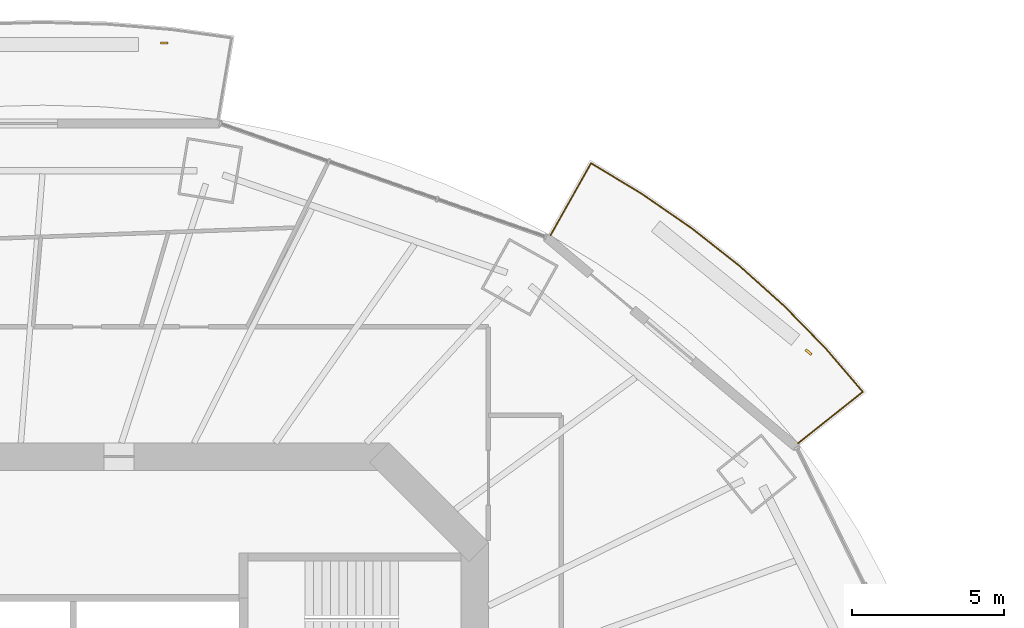
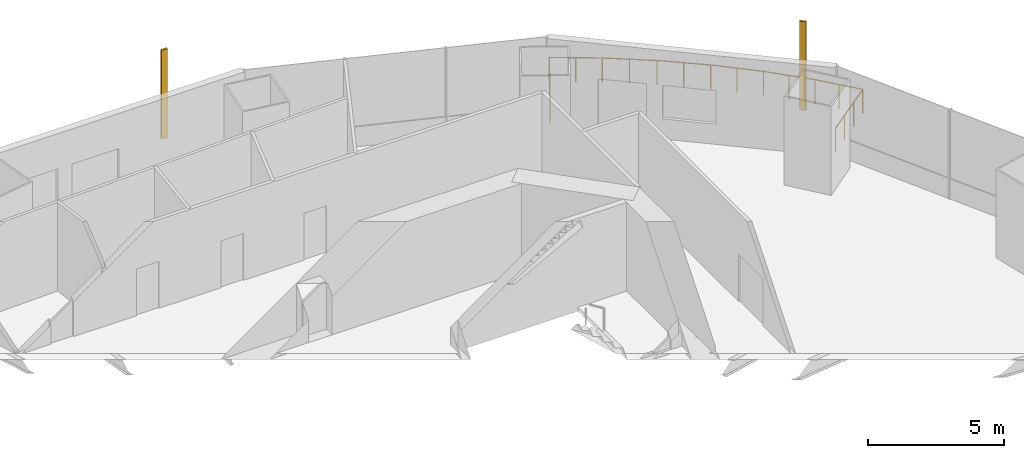
# One storey, part 18 of 19: 2 shading devices, 1 railing.
"""IFC4 building model written with IfcOpenShell, lengths in metres."""

import ifcopenshell
import ifcopenshell.guid

model = None  # the IFC model being written
_history = None  # IfcOwnerHistory: only IFC2X3 demands one
_inside = {}  # id of a spatial element -> (the spatial element, [elements in it])
_under = {}  # id of a project, library or spatial element -> (it, [spatial elements below it])
_declared = {}  # id of a project -> (the project, [libraries it declares])
_typed = {}  # id of a type object -> (the type object, [elements of that type])
_made_of = {}  # id of a material, layer set ... -> (it, [elements and type objects made of it])


def new_model(schema):
    """Start an empty IFC model of exactly this schema.

    Asked for "IFC4X3", IfcOpenShell would pick the latest addendum, in which some entities
    have other attributes; the version numbers below select the first issue.
    IFC2X3 requires an IfcOwnerHistory on every rooted entity: one is made here for all.
    """
    global model, _history
    if schema == "IFC4X3":
        model = ifcopenshell.file(schema_version=(4, 3, 0, 0))
    else:
        model = ifcopenshell.file(schema=schema)
    _inside.clear()
    _under.clear()
    _declared.clear()
    _typed.clear()
    _made_of.clear()
    _history = None
    if model.schema == "IFC2X3":
        org = make("IfcOrganization", Name="unknown")
        user = make(
            "IfcPersonAndOrganization",
            ThePerson=make("IfcPerson", FamilyName="unknown"),
            TheOrganization=org,
        )
        app = make(
            "IfcApplication",
            ApplicationDeveloper=org,
            Version="unknown",
            ApplicationFullName="unknown",
            ApplicationIdentifier="unknown",
        )
        _history = make(
            "IfcOwnerHistory",
            OwningUser=user,
            OwningApplication=app,
            ChangeAction="ADDED",
            CreationDate=0,
        )
    return model


def make(cls, **values):
    """One entity of the class cls with the attributes given. An attribute that is None is left unset."""
    return model.create_entity(
        cls, **{name: value for name, value in values.items() if value is not None}
    )


def rooted(cls, **values):
    """An entity with a GlobalId (a new one), such as an element, a storey or a relation."""
    return make(cls, GlobalId=ifcopenshell.guid.new(), OwnerHistory=_history, **values)


def si_unit(unit_type, name, prefix=None):
    """IfcSIUnit, for example si_unit("LENGTHUNIT", "METRE", prefix="MILLI")."""
    return make("IfcSIUnit", UnitType=unit_type, Prefix=prefix, Name=name)


def assignment(units):
    """IfcUnitAssignment: the units of a project."""
    return None if units is None else make("IfcUnitAssignment", Units=units)


def point(xyz):
    """IfcCartesianPoint."""
    return None if xyz is None else make("IfcCartesianPoint", Coordinates=xyz)


def direction(xyz):
    """IfcDirection."""
    return None if xyz is None else make("IfcDirection", DirectionRatios=xyz)


def frame(location, z_axis=None, x_axis=None):
    """IfcAxis2Placement3D, a coordinate frame: its origin and axes. An axis left out is left unset."""
    return make(
        "IfcAxis2Placement3D",
        Location=point(location),
        Axis=direction(z_axis),
        RefDirection=direction(x_axis),
    )


def frame_2d(location, x_axis=None):
    """IfcAxis2Placement2D, a coordinate frame in the plane: its origin and x axis."""
    return make(
        "IfcAxis2Placement2D", Location=point(location), RefDirection=direction(x_axis)
    )


def origin():
    """The frame at (0, 0, 0) with its axes left unset."""
    return frame((0.0, 0.0, 0.0))


def origin_2d():
    """The frame at (0, 0) in the plane with its x axis left unset."""
    return frame_2d((0.0, 0.0))


def place(relative_to, where):
    """IfcLocalPlacement: puts the frame where relative to a parent placement (None: the world)."""
    return make(
        "IfcLocalPlacement", PlacementRelTo=relative_to, RelativePlacement=where
    )


def context(
    kind, dimensions, precision=None, world=None, true_north=None, identifier=None
):
    """IfcGeometricRepresentationContext, for example the 3D "Model" context."""
    return make(
        "IfcGeometricRepresentationContext",
        ContextIdentifier=identifier,
        ContextType=kind,
        CoordinateSpaceDimension=dimensions,
        Precision=precision,
        WorldCoordinateSystem=world,
        TrueNorth=true_north,
    )


def subcontext(parent, identifier, kind, view, scale=None):
    """IfcGeometricRepresentationSubContext, for example "Body" below "Model"."""
    return make(
        "IfcGeometricRepresentationSubContext",
        ContextIdentifier=identifier,
        ContextType=kind,
        ParentContext=parent,
        TargetScale=scale,
        TargetView=view,
    )


def project(units=None, contexts=None):
    """IfcProject with its units and contexts."""
    return rooted(
        "IfcProject",
        Name="project",
        RepresentationContexts=contexts,
        UnitsInContext=assignment(units),
    )


def spatial(cls, under=None, at=None, **own):
    """A site, building, storey or space (cls), placed at a placement, below another one or the project."""
    s = rooted(cls, ObjectPlacement=at, **own)
    if under is not None:
        _under.setdefault(under.id(), (under, []))[1].append(s)
    return s


def profile(cls, at=None, kind="AREA", **sizes):
    """A parametric profile (cls). Its sizes go by their IFC names, for example OverallWidth=200.0."""
    return make(cls, ProfileType=kind, Position=at, **sizes)


def rectangle(**sizes):
    """IfcRectangleProfileDef."""
    return profile("IfcRectangleProfileDef", **sizes)


def circle(**sizes):
    """IfcCircleProfileDef."""
    return profile("IfcCircleProfileDef", **sizes)


def extrude(swept, where, along, depth):
    """IfcExtrudedAreaSolid: the profile swept, set in the frame where, extruded along a direction by depth."""
    return make(
        "IfcExtrudedAreaSolid",
        SweptArea=swept,
        Position=where,
        ExtrudedDirection=direction(along),
        Depth=depth,
    )


def shape(context_of_items, identifier, shape_type, items):
    """IfcShapeRepresentation: the items that make up one representation, for example the "Body"."""
    return make(
        "IfcShapeRepresentation",
        ContextOfItems=context_of_items,
        RepresentationIdentifier=identifier,
        RepresentationType=shape_type,
        Items=items,
    )


def material(Name=None, Category=None):
    """IfcMaterial."""
    return make("IfcMaterial", Name=Name, Category=Category)


def material_profile(
    of_material, cross_section, Name=None, Category=None, Priority=None
):
    """IfcMaterialProfile: a cross section and its material."""
    return make(
        "IfcMaterialProfile",
        Name=Name,
        Material=of_material,
        Profile=cross_section,
        Priority=Priority,
        Category=Category,
    )


def profile_set(profiles, Name=None, composite=None):
    """IfcMaterialProfileSet."""
    return make(
        "IfcMaterialProfileSet",
        Name=Name,
        MaterialProfiles=profiles,
        CompositeProfile=composite,
    )


def made_of(thing, what):
    """Note that an element or type object is made of a material, layer set ...; save() writes the relation."""
    if what is not None:
        _made_of.setdefault(what.id(), (what, []))[1].append(thing)
    return thing


def type_object(cls, material=None, **own):
    """A type object (cls), such as IfcWallType, which elements share."""
    return made_of(rooted(cls, **own), material)


def element(
    cls,
    number,
    at=None,
    inside=None,
    cuts=None,
    type_object=None,
    material=None,
    context=None,
    identifier="Body",
    shape_type=None,
    held_by="IfcProductDefinitionShape",
    body=None,
    shapes=None,
    **own,
):
    """One element of the class cls, such as IfcWall. Its Tag is "e" and its number.

    at: its placement. inside: the storey or other place that contains it. cuts: it is an
    opening in that element (IfcRelVoidsElement). A single representation is given by context,
    identifier, shape_type and body (its items); several are given by shapes. held_by: the class
    of the entity that holds the representations. save() writes the other relations.
    """
    e = rooted(cls, Tag="e%d" % number, ObjectPlacement=at, **own)
    if body is not None:
        shapes = [shape(context, identifier, shape_type, body)]
    if shapes is not None:
        e.Representation = make(held_by, Representations=shapes)
    if inside is not None:
        _inside.setdefault(inside.id(), (inside, []))[1].append(e)
    if cuts is not None:
        rooted(
            "IfcRelVoidsElement", RelatingBuildingElement=cuts, RelatedOpeningElement=e
        )
    if type_object is not None:
        _typed.setdefault(type_object.id(), (type_object, []))[1].append(e)
    return made_of(e, material)


def aggregate(whole, parts):
    """IfcRelAggregates: a whole, such as a stair, and the parts it consists of."""
    return rooted("IfcRelAggregates", RelatingObject=whole, RelatedObjects=parts)


def save(model, path):
    """Write the relations noted so far, then the file.

    IfcRelAggregates (storeys below a building ...), IfcRelContainedInSpatialStructure (elements
    in a storey), IfcRelDefinesByType, IfcRelAssociatesMaterial and IfcRelDeclares: one each for
    every whole, place, type object, material and project.
    """
    for whole, parts in _under.values():
        aggregate(whole, parts)
    for where, things in _inside.values():
        rooted(
            "IfcRelContainedInSpatialStructure",
            RelatedElements=things,
            RelatingStructure=where,
        )
    for kind, things in _typed.values():
        rooted("IfcRelDefinesByType", RelatedObjects=things, RelatingType=kind)
    for what, things in _made_of.values():
        rooted("IfcRelAssociatesMaterial", RelatedObjects=things, RelatingMaterial=what)
    for by, libraries in _declared.values():
        rooted("IfcRelDeclares", RelatingContext=by, RelatedDefinitions=libraries)
    model.write(path)


model = new_model("IFC4")

# Units and contexts
model_context = context("Model", 3, precision=1e-05, world=origin(), true_north=direction((0.0, 1.0)))
body_context = subcontext(model_context, "Body", "Model", "MODEL_VIEW")
ifc_project = project(units=[si_unit("LENGTHUNIT", "METRE"), si_unit("AREAUNIT", "SQUARE_METRE"), si_unit("VOLUMEUNIT", "CUBIC_METRE"), si_unit("PLANEANGLEUNIT", "RADIAN"), si_unit("MASSUNIT", "GRAM", prefix="KILO")], contexts=[model_context])

# Site, building, storey
site_placement = place(None, origin())
site = spatial("IfcSite", under=ifc_project, at=site_placement, CompositionType="ELEMENT")
building_placement = place(site_placement, origin())
building = spatial("IfcBuilding", under=site, at=building_placement, Name="Marenthal Gate Tower", CompositionType="ELEMENT")
storey_placement = place(building_placement, frame((0.0, 0.0, 252.35009765625)))
storey = spatial("IfcBuildingStorey", under=building, at=storey_placement, Name="L56", CompositionType="ELEMENT", Elevation=252.35009765625)

# Railing
ifc_material_1 = material(Name="Stainless steel", Category="steel")
railing_type = type_object("IfcRailingType", Name="Balcony guard 1100", PredefinedType="GUARDRAIL", material=ifc_material_1)
railing_placement = place(storey_placement, frame((18.494140625, 20.275634765625, 0.0)))
element("IfcRailing", 1, at=railing_placement, inside=storey, type_object=railing_type, Name="Balcony guard L56 bay 2", PredefinedType="GUARDRAIL", context=body_context, shape_type="SweptSolid", body=[
    extrude(circle(Radius=0.02392578125, at=origin_2d()), frame((0.0, 0.0, 1.076171875), z_axis=(0.489935400912, 0.871634477681, -0.014718704112), x_axis=(-0.87172890858, 0.489988479401, 0.0)), (0.0, 0.0, 1.0), 2.72021484375),
    extrude(circle(Radius=0.02392578125, at=origin_2d()), frame((1.332763671875, 2.37109375, 1.0361328125), z_axis=(0.855927117695, -0.517096479581, 0.0), x_axis=(0.517096479581, 0.855927117695, 0.0)), (0.0, 0.0, 1.0), 1.94482421875),
    extrude(circle(Radius=0.02392578125, at=origin_2d()), frame((2.997314453125, 1.365478515625, 1.0361328125), z_axis=(0.823079547335, -0.567926103256, 0.0), x_axis=(0.567926103256, 0.823079547335, 0.0)), (0.0, 0.0, 1.0), 2.00830078125),
    extrude(circle(Radius=0.02392578125, at=origin_2d()), frame((4.650390625, 0.224853515625, 1.0361328125), z_axis=(0.785663114819, -0.618654564367, 0.0), x_axis=(0.618654564367, 0.785663114819, 0.0)), (0.0, 0.0, 1.0), 1.992431640625),
    extrude(circle(Radius=0.02392578125, at=origin_2d()), frame((6.2158203125, -1.0078125, 1.0361328125), z_axis=(0.744196610974, -0.667960630737, 0.0), x_axis=(0.667960630737, 0.744196610974, 0.0)), (0.0, 0.0, 1.0), 1.975830078125),
    extrude(circle(Radius=0.02392578125, at=origin_2d()), frame((7.686279296875, -2.32763671875, 1.0361328125), z_axis=(0.698521536326, -0.715589032398, 0.0), x_axis=(0.715589032398, 0.698521536326, 0.0)), (0.0, 0.0, 1.0), 1.959716796875),
    extrude(circle(Radius=0.02392578125, at=origin_2d()), frame((9.05517578125, -3.72998046875, 1.0361328125), z_axis=(0.649809223688, -0.760097344298, 0.0), x_axis=(0.760097344298, 0.649809223688, 0.0)), (0.0, 0.0, 1.0), 1.864013671875),
    extrude(circle(Radius=0.02392578125, at=origin_2d()), frame((10.266357421875, -5.146728515625, 1.0361328125), z_axis=(-0.783055581805, -0.621777543925, 0.014718752483), x_axis=(0.621844906334, -0.783140416826, 0.0)), (0.0, 0.0, 1.0), 2.72021484375),
    extrude(circle(Radius=0.02099609375, at=origin_2d()), origin(), (0.0, 0.0, 1.0), 1.052001953125),
    extrude(circle(Radius=0.02099609375, at=origin_2d()), frame((0.4443359375, 0.790283203125, -0.013427734375)), (0.0, 0.0, 1.0), 1.052001953125),
    extrude(circle(Radius=0.02099609375, at=origin_2d()), frame((0.888427734375, 1.580810546875, -0.026611328125)), (0.0, 0.0, 1.0), 1.052001953125),
    extrude(circle(Radius=0.02099609375, at=origin_2d()), frame((1.332763671875, 2.37109375, -0.0400390625)), (0.0, 0.0, 1.0), 1.052001953125),
    extrude(circle(Radius=0.02099609375, at=origin_2d()), frame((2.1650390625, 1.8681640625, -0.0400390625)), (0.0, 0.0, 1.0), 1.052001953125),
    extrude(circle(Radius=0.02099609375, at=origin_2d()), frame((2.997314453125, 1.365478515625, -0.0400390625)), (0.0, 0.0, 1.0), 1.052001953125),
    extrude(circle(Radius=0.02099609375, at=origin_2d()), frame((3.82373046875, 0.795166015625, -0.0400390625)), (0.0, 0.0, 1.0), 1.052001953125),
    extrude(circle(Radius=0.02099609375, at=origin_2d()), frame((4.650390625, 0.224853515625, -0.0400390625)), (0.0, 0.0, 1.0), 1.052001953125),
    extrude(circle(Radius=0.02099609375, at=origin_2d()), frame((5.43310546875, -0.3916015625, -0.0400390625)), (0.0, 0.0, 1.0), 1.052001953125),
    extrude(circle(Radius=0.02099609375, at=origin_2d()), frame((6.2158203125, -1.0078125, -0.0400390625)), (0.0, 0.0, 1.0), 1.052001953125),
    extrude(circle(Radius=0.02099609375, at=origin_2d()), frame((6.951171875, -1.667724609375, -0.0400390625)), (0.0, 0.0, 1.0), 1.052001953125),
    extrude(circle(Radius=0.02099609375, at=origin_2d()), frame((7.686279296875, -2.32763671875, -0.0400390625)), (0.0, 0.0, 1.0), 1.052001953125),
    extrude(circle(Radius=0.02099609375, at=origin_2d()), frame((8.37060546875, -3.02880859375, -0.0400390625)), (0.0, 0.0, 1.0), 1.052001953125),
    extrude(circle(Radius=0.02099609375, at=origin_2d()), frame((9.05517578125, -3.72998046875, -0.0400390625)), (0.0, 0.0, 1.0), 1.052001953125),
    extrude(circle(Radius=0.02099609375, at=origin_2d()), frame((9.66064453125, -4.4384765625, -0.0400390625)), (0.0, 0.0, 1.0), 1.052001953125),
    extrude(circle(Radius=0.02099609375, at=origin_2d()), frame((10.266357421875, -5.146728515625, -0.0400390625)), (0.0, 0.0, 1.0), 1.052001953125),
    extrude(circle(Radius=0.02099609375, at=origin_2d()), frame((9.556396484375, -5.71044921875, -0.026611328125)), (0.0, 0.0, 1.0), 1.052001953125),
    extrude(circle(Radius=0.02099609375, at=origin_2d()), frame((8.84619140625, -6.2744140625, -0.013427734375)), (0.0, 0.0, 1.0), 1.052001953125),
    extrude(circle(Radius=0.02099609375, at=origin_2d()), frame((8.13623046875, -6.838134765625, 0.0)), (0.0, 0.0, 1.0), 1.052001953125),
])

# Shading devices
ifc_material_2 = material(Name="Terracotta", Category="masonry")
ifc_material_profile = material_profile(ifc_material_2, rectangle(XDim=0.25, YDim=0.080078125, at=origin_2d()), Name="Terracotta baguette 250x80")
ifc_profile_set = profile_set([ifc_material_profile], Name="Terracotta")
shading_device_type = type_object("IfcShadingDeviceType", Name="Terracotta BAGUETTE SCREEN 250x80", PredefinedType="USERDEFINED", material=ifc_profile_set)
for number, where, z_axis, x_axis, name in (
    (2, (26.976806640625, 16.435302734375, -0.0400390625), (0.0, 0.0, 1.0), (-0.765398416376, 0.643556729597, 0.0), "Terracotta BAGUETTE L56 bay 2L"),
    (3, (5.799560546875, 26.597900390625, -0.0400390625), (0.0, 0.0, 1.0), (-1.0, 0.0, 0.0), "Terracotta BAGUETTE L56 bay 4L"),
):
    element("IfcShadingDevice", number, at=place(storey_placement, frame(where, z_axis=z_axis, x_axis=x_axis)), inside=storey, type_object=shading_device_type, Name=name, ObjectType="BAGUETTE SCREEN", PredefinedType="USERDEFINED", context=body_context, shape_type="SweptSolid", body=[
        extrude(rectangle(XDim=0.25, YDim=0.080078125, at=origin_2d()), origin(), (0.0, 0.0, 1.0), 3.969970703125),
    ])

save(model, "model.ifc")
